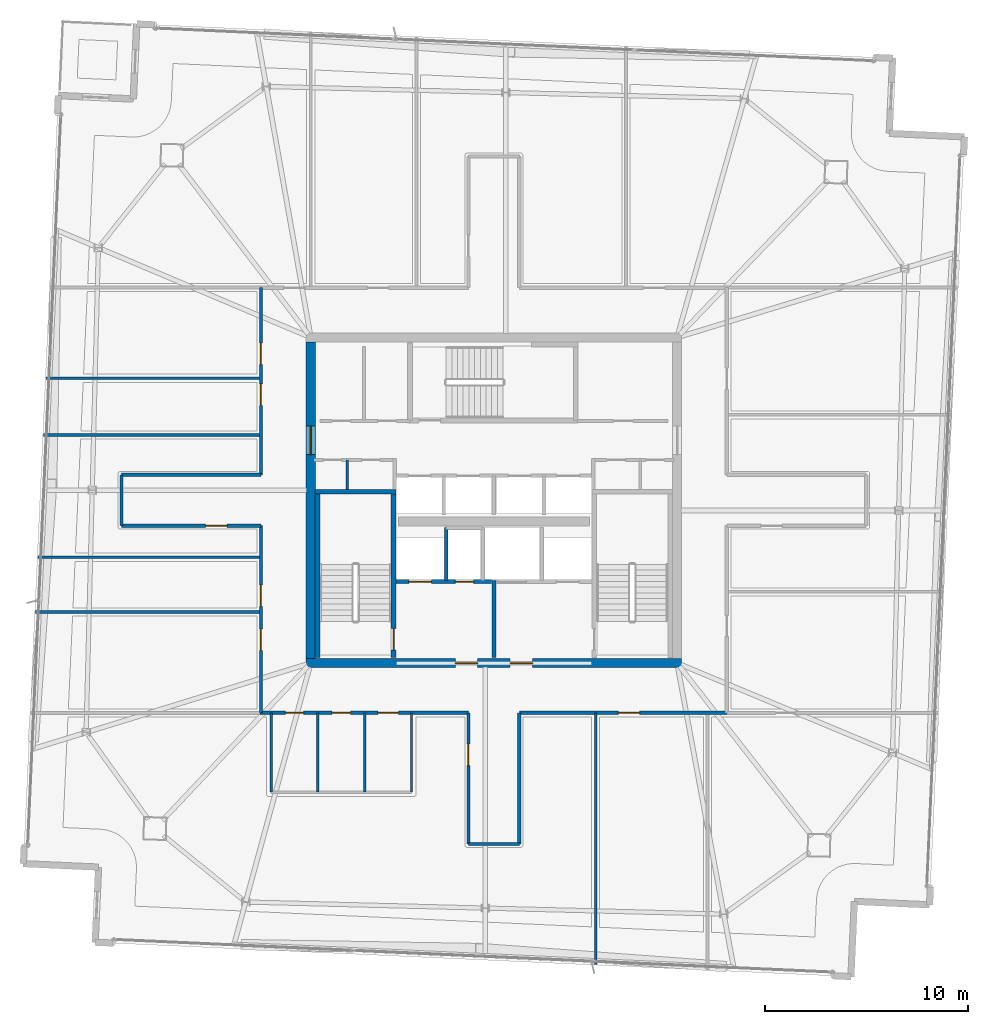
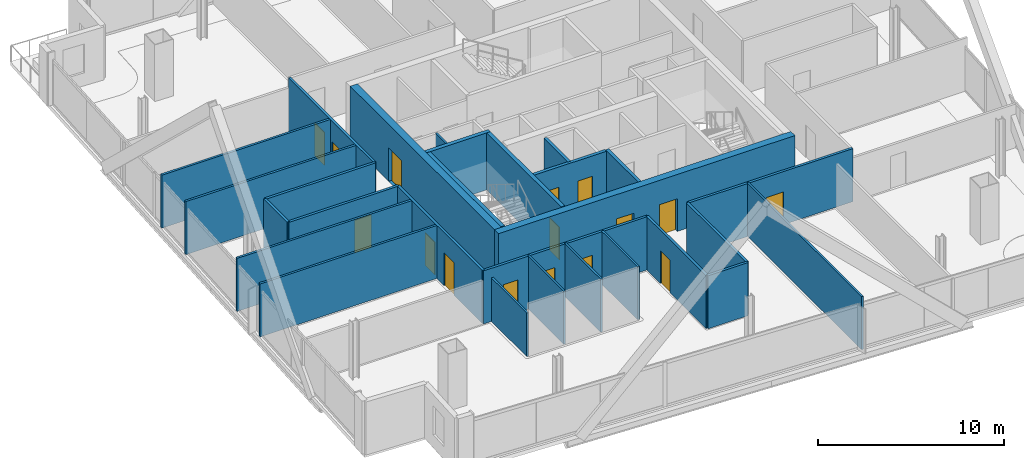
# One storey, part 20 of 26: 28 walls, 16 doors, 16 openings.
"""IFC4 building model written with IfcOpenShell, lengths in metres."""

from ifc_helpers import new_model, si_unit, direction, frame, frame_2d, origin, place, context, subcontext, project, spatial, rectangle, extrude, material, layer, layer_set, type_object, element, fill, save


model = new_model("IFC4")

# Units and contexts
model_context = context("Model", 3, precision=1e-05, world=origin(), true_north=direction((0.0, 1.0)))
body_context = subcontext(model_context, "Body", "Model", "MODEL_VIEW")
ifc_project = project(units=[si_unit("LENGTHUNIT", "METRE"), si_unit("AREAUNIT", "SQUARE_METRE"), si_unit("VOLUMEUNIT", "CUBIC_METRE"), si_unit("PLANEANGLEUNIT", "RADIAN"), si_unit("MASSUNIT", "GRAM", prefix="KILO")], contexts=[model_context])

# Site, building, storey
site_placement = place(None, origin())
site = spatial("IfcSite", under=ifc_project, at=site_placement, CompositionType="ELEMENT")
building_placement = place(site_placement, origin())
building = spatial("IfcBuilding", under=site, at=building_placement, Name="Haldenkirk Collegiate Tower", CompositionType="ELEMENT")
storey_placement = place(building_placement, frame((0.0, 0.0, 321.449951171875)))
storey = spatial("IfcBuildingStorey", under=building, at=storey_placement, Name="L81", CompositionType="ELEMENT", Elevation=321.449951171875)

# Wall, openings, doors
ifc_material_1 = material(Name="Concrete f'c 55 MPa", Category="concrete")
ifc_layer_1 = layer(ifc_material_1, 0.449951171875)
ifc_layer_set_1 = layer_set([ifc_layer_1], Name="Concrete f'c 55 MPa")
wall_type_1 = type_object("IfcWallType", Name="WL-CORE-450", PredefinedType="SHEAR", material=ifc_layer_set_1)
wall_1_placement = place(storey_placement, frame((26.77490234375, 18.0, 0.0), z_axis=(0.0, 0.0, 1.0), x_axis=(1.0, 0.0, 0.0)))
wall_1 = element("IfcWall", 1, at=wall_1_placement, inside=storey, type_object=wall_type_1, Name="L81 central core shear wall S", PredefinedType="SHEAR", context=body_context, shape_type="SweptSolid", body=[
    extrude(rectangle(XDim=18.4501953125, YDim=0.449951171875, at=frame_2d((9.22509765625, 0.0))), origin(), (0.0, 0.0, 1.0), 3.75),
])
opening_1_placement = place(wall_1_placement, frame((7.324951171875, 0.0, 0.0)))
opening_1 = element("IfcOpeningElement", 2, at=opening_1_placement, cuts=wall_1, Name="Opening D-02", PredefinedType="OPENING", context=body_context, shape_type="SweptSolid", body=[
    extrude(rectangle(XDim=1.10009765625, YDim=2.14990234375, at=frame_2d((0.550048828125, 1.074951171875))), frame((0.0, 0.23486328125, 0.0), z_axis=(0.0, -1.0, 0.0), x_axis=(1.0, 0.0, 0.0)), (0.0, 0.0, 1.0), 0.469970703125),
])
opening_2_placement = place(wall_1_placement, frame((10.02490234375, 0.0, 0.0)))
opening_2 = element("IfcOpeningElement", 3, at=opening_2_placement, cuts=wall_1, Name="Opening D-02", PredefinedType="OPENING", context=body_context, shape_type="SweptSolid", body=[
    extrude(rectangle(XDim=1.10009765625, YDim=2.14990234375, at=frame_2d((0.550048828125, 1.074951171875))), frame((0.0, 0.23486328125, 0.0), z_axis=(0.0, -1.0, 0.0), x_axis=(1.0, 0.0, 0.0)), (0.0, 0.0, 1.0), 0.469970703125),
])
ifc_material_2 = material(Name="Galvanized fire-rated hollow steel door", Category="steel")
ifc_layer_2 = layer(ifc_material_2, 0.06005859375)
ifc_layer_set_2 = layer_set([ifc_layer_2], Name="Galvanized fire-rated hollow steel door")
door_type_1 = type_object("IfcDoorType", Name="DR-STAIR-FD90-1100", OperationType="NOTDEFINED", PredefinedType="DOOR", material=ifc_layer_set_2)
door_1_placement = place(opening_1_placement, origin())
door_1 = element("IfcDoor", 4, at=door_1_placement, inside=storey, type_object=door_type_1, Name="L81 Firefighting Lobby 1 door", OperationType="SINGLE_SWING_LEFT", OverallHeight=2.14990234375, OverallWidth=1.10009765625, PredefinedType="DOOR", context=body_context, shape_type="SweptSolid", body=[
    extrude(rectangle(XDim=1.10009765625, YDim=2.14990234375, at=frame_2d((0.550048828125, 1.074951171875))), frame((0.0, 0.02490234375, 0.0), z_axis=(0.0, -1.0, 0.0), x_axis=(1.0, 0.0, 0.0)), (0.0, 0.0, 1.0), 0.050048828125),
])
fill(opening_1, door_1)
door_2_placement = place(opening_2_placement, origin())
door_2 = element("IfcDoor", 5, at=door_2_placement, inside=storey, type_object=door_type_1, Name="L81 Firefighting Lobby 2 door", OperationType="SINGLE_SWING_RIGHT", OverallHeight=2.14990234375, OverallWidth=1.10009765625, PredefinedType="DOOR", context=body_context, shape_type="SweptSolid", body=[
    extrude(rectangle(XDim=1.10009765625, YDim=2.14990234375, at=frame_2d((0.550048828125, 1.074951171875))), frame((0.0, 0.02490234375, 0.0), z_axis=(0.0, -1.0, 0.0), x_axis=(1.0, 0.0, 0.0)), (0.0, 0.0, 1.0), 0.050048828125),
])
fill(opening_2, door_2)

# Wall, opening, door
wall_2_placement = place(storey_placement, frame((27.0, 18.22509765625, 0.0), z_axis=(0.0, 0.0, 1.0), x_axis=(0.0, 1.0, 0.0)))
wall_2 = element("IfcWall", 6, at=wall_2_placement, inside=storey, type_object=wall_type_1, Name="L81 central core shear wall W", PredefinedType="SHEAR", context=body_context, shape_type="SweptSolid", body=[
    extrude(rectangle(XDim=15.5498046875, YDim=0.449951171875, at=frame_2d((7.77490234375, 0.0))), origin(), (0.0, 0.0, 1.0), 3.75),
])
opening_3_placement = place(wall_2_placement, frame((10.014892578125, 0.0, 0.0)))
opening_3 = element("IfcOpeningElement", 7, at=opening_3_placement, cuts=wall_2, Name="Opening D-03", PredefinedType="OPENING", context=body_context, shape_type="SweptSolid", body=[
    extrude(rectangle(XDim=1.39990234375, YDim=2.199951171875, at=frame_2d((0.699951171875, 1.10009765625))), frame((0.0, 0.23486328125, 0.0), z_axis=(0.0, -1.0, 0.0), x_axis=(1.0, 0.0, 0.0)), (0.0, 0.0, 1.0), 0.469970703125),
])
ifc_layer_3 = layer(ifc_material_2, 0.06005859375)
ifc_layer_set_3 = layer_set([ifc_layer_3], Name="Galvanized fire-rated hollow steel door")
door_type_2 = type_object("IfcDoorType", Name="DR-LOBBY-FD90-1400", OperationType="NOTDEFINED", PredefinedType="DOOR", material=ifc_layer_set_3)
door_3_placement = place(opening_3_placement, origin())
door_3 = element("IfcDoor", 8, at=door_3_placement, inside=storey, type_object=door_type_2, Name="L81 west lift lobby portal", OperationType="DOUBLE_DOOR_SINGLE_SWING", OverallHeight=2.199951171875, OverallWidth=1.39990234375, PredefinedType="DOOR", context=body_context, shape_type="SweptSolid", body=[
    extrude(rectangle(XDim=1.39990234375, YDim=2.199951171875, at=frame_2d((0.699951171875, 1.10009765625))), frame((0.0, 0.02490234375, 0.0), z_axis=(0.0, -1.0, 0.0), x_axis=(1.0, 0.0, 0.0)), (0.0, 0.0, 1.0), 0.050048828125),
])
fill(opening_3, door_3)

# Wall, openings, doors
ifc_material_3 = material(Name="Acoustic fire-rated gypsum partition", Category="concrete")
ifc_layer_4 = layer(ifc_material_3, 0.159912109375)
ifc_layer_set_4 = layer_set([ifc_layer_4], Name="Acoustic fire-rated gypsum partition")
wall_type_2 = type_object("IfcWallType", Name="WL-INT-CORR-160", PredefinedType="PARTITIONING", material=ifc_layer_set_4)
wall_3_placement = place(storey_placement, frame((24.5, 15.550048828125, 0.0), z_axis=(0.0, 0.0, 1.0), x_axis=(1.0, 0.0, 0.0)))
wall_3 = element("IfcWall", 9, at=wall_3_placement, inside=storey, type_object=wall_type_2, Name="L81 interior partition IW-L81-CS1", PredefinedType="PARTITIONING", context=body_context, shape_type="SweptSolid", body=[
    extrude(rectangle(XDim=10.25, YDim=0.159912109375, at=frame_2d((5.125, 0.0))), origin(), (0.0, 0.0, 1.0), 3.489990234375),
])
opening_4_placement = place(wall_3_placement, frame((1.25, 0.0, 0.0)))
opening_4 = element("IfcOpeningElement", 10, at=opening_4_placement, cuts=wall_3, Name="Opening D-13", PredefinedType="OPENING", context=body_context, shape_type="SweptSolid", body=[
    extrude(rectangle(XDim=0.89990234375, YDim=2.14990234375, at=frame_2d((0.449951171875, 1.074951171875))), frame((0.0, 0.08984375, 0.0), z_axis=(0.0, -1.0, 0.0), x_axis=(1.0, 0.0, 0.0)), (0.0, 0.0, 1.0), 0.179931640625),
])
opening_5_placement = place(wall_3_placement, frame((3.550048828125, 0.0, 0.0)))
opening_5 = element("IfcOpeningElement", 11, at=opening_5_placement, cuts=wall_3, Name="Opening D-13", PredefinedType="OPENING", context=body_context, shape_type="SweptSolid", body=[
    extrude(rectangle(XDim=0.89990234375, YDim=2.14990234375, at=frame_2d((0.449951171875, 1.074951171875))), frame((0.0, 0.08984375, 0.0), z_axis=(0.0, -1.0, 0.0), x_axis=(1.0, 0.0, 0.0)), (0.0, 0.0, 1.0), 0.179931640625),
])
opening_6_placement = place(wall_3_placement, frame((5.800048828125, 0.0, 0.0)))
opening_6 = element("IfcOpeningElement", 12, at=opening_6_placement, cuts=wall_3, Name="Opening D-14", PredefinedType="OPENING", context=body_context, shape_type="SweptSolid", body=[
    extrude(rectangle(XDim=1.0, YDim=2.14990234375, at=frame_2d((0.5, 1.074951171875))), frame((0.0, 0.08984375, 0.0), z_axis=(0.0, -1.0, 0.0), x_axis=(1.0, 0.0, 0.0)), (0.0, 0.0, 1.0), 0.179931640625),
])
ifc_material_4 = material(Name="Solid-core architectural oak fire door", Category="wood")
ifc_layer_5 = layer(ifc_material_4, 0.06005859375)
ifc_layer_set_5 = layer_set([ifc_layer_5], Name="Solid-core architectural oak fire door")
door_type_3 = type_object("IfcDoorType", Name="DR-INT-ACC-1000", OperationType="NOTDEFINED", PredefinedType="DOOR", material=ifc_layer_set_5)
door_4_placement = place(opening_6_placement, origin())
door_4 = element("IfcDoor", 13, at=door_4_placement, inside=storey, type_object=door_type_3, Name="L81 Accessible WC door", OperationType="SINGLE_SWING_RIGHT", OverallHeight=2.14990234375, OverallWidth=1.0, PredefinedType="DOOR", context=body_context, shape_type="SweptSolid", body=[
    extrude(rectangle(XDim=1.0, YDim=2.14990234375, at=frame_2d((0.5, 1.074951171875))), frame((0.0, 0.02490234375, 0.0), z_axis=(0.0, -1.0, 0.0), x_axis=(1.0, 0.0, 0.0)), (0.0, 0.0, 1.0), 0.050048828125),
])
fill(opening_6, door_4)
ifc_layer_6 = layer(ifc_material_4, 0.06005859375)
ifc_layer_set_6 = layer_set([ifc_layer_6], Name="Solid-core architectural oak fire door")
door_type_4 = type_object("IfcDoorType", Name="DR-INT-STD-900", OperationType="NOTDEFINED", PredefinedType="DOOR", material=ifc_layer_set_6)
door_5_placement = place(opening_4_placement, origin())
door_5 = element("IfcDoor", 14, at=door_5_placement, inside=storey, type_object=door_type_4, Name="L81 Male WC door", OperationType="SINGLE_SWING_RIGHT", OverallHeight=2.14990234375, OverallWidth=0.89990234375, PredefinedType="DOOR", context=body_context, shape_type="SweptSolid", body=[
    extrude(rectangle(XDim=0.89990234375, YDim=2.14990234375, at=frame_2d((0.449951171875, 1.074951171875))), frame((0.0, 0.02490234375, 0.0), z_axis=(0.0, -1.0, 0.0), x_axis=(1.0, 0.0, 0.0)), (0.0, 0.0, 1.0), 0.050048828125),
])
fill(opening_4, door_5)
door_6_placement = place(opening_5_placement, origin())
door_6 = element("IfcDoor", 15, at=door_6_placement, inside=storey, type_object=door_type_4, Name="L81 Female WC door", OperationType="SINGLE_SWING_LEFT", OverallHeight=2.14990234375, OverallWidth=0.89990234375, PredefinedType="DOOR", context=body_context, shape_type="SweptSolid", body=[
    extrude(rectangle(XDim=0.89990234375, YDim=2.14990234375, at=frame_2d((0.449951171875, 1.074951171875))), frame((0.0, 0.02490234375, 0.0), z_axis=(0.0, -1.0, 0.0), x_axis=(1.0, 0.0, 0.0)), (0.0, 0.0, 1.0), 0.050048828125),
])
fill(opening_5, door_6)

# Wall, opening, door
wall_4_placement = place(storey_placement, frame((37.25, 15.550048828125, 0.0), z_axis=(0.0, 0.0, 1.0), x_axis=(1.0, 0.0, 0.0)))
wall_4 = element("IfcWall", 16, at=wall_4_placement, inside=storey, type_object=wall_type_2, Name="L81 interior partition IW-L81-CS2", PredefinedType="PARTITIONING", context=body_context, shape_type="SweptSolid", body=[
    extrude(rectangle(XDim=10.25, YDim=0.159912109375, at=frame_2d((5.125, 0.0))), origin(), (0.0, 0.0, 1.0), 3.489990234375),
])
opening_7_placement = place(wall_4_placement, frame((4.864990234375, 0.0, 0.0)))
opening_7 = element("IfcOpeningElement", 17, at=opening_7_placement, cuts=wall_4, Name="Opening D-09", PredefinedType="OPENING", context=body_context, shape_type="SweptSolid", body=[
    extrude(rectangle(XDim=1.050048828125, YDim=2.14990234375, at=frame_2d((0.52490234375, 1.074951171875))), frame((0.0, 0.08984375, 0.0), z_axis=(0.0, -1.0, 0.0), x_axis=(1.0, 0.0, 0.0)), (0.0, 0.0, 1.0), 0.179931640625),
])
ifc_layer_7 = layer(ifc_material_4, 0.06005859375)
ifc_layer_set_7 = layer_set([ifc_layer_7], Name="Solid-core architectural oak fire door")
door_type_5 = type_object("IfcDoorType", Name="DR-INT-FD60-1050", OperationType="NOTDEFINED", PredefinedType="DOOR", material=ifc_layer_set_7)
door_7_placement = place(opening_7_placement, origin())
door_7 = element("IfcDoor", 18, at=door_7_placement, inside=storey, type_object=door_type_5, Name="L81 Rare Folio Vault 2 door", OperationType="SINGLE_SWING_RIGHT", OverallHeight=2.14990234375, OverallWidth=1.050048828125, PredefinedType="DOOR", context=body_context, shape_type="SweptSolid", body=[
    extrude(rectangle(XDim=1.050048828125, YDim=2.14990234375, at=frame_2d((0.52490234375, 1.074951171875))), frame((0.0, 0.02490234375, 0.0), z_axis=(0.0, -1.0, 0.0), x_axis=(1.0, 0.0, 0.0)), (0.0, 0.0, 1.0), 0.050048828125),
])
fill(opening_7, door_7)

# Wall, openings, doors
wall_5_placement = place(storey_placement, frame((24.550048828125, 15.550048828125, 0.0), z_axis=(0.0, 0.0, 1.0), x_axis=(0.0, 1.0, 0.0)))
wall_5 = element("IfcWall", 19, at=wall_5_placement, inside=storey, type_object=wall_type_2, Name="L81 interior partition IW-L81-CW1", PredefinedType="PARTITIONING", context=body_context, shape_type="SweptSolid", body=[
    extrude(rectangle(XDim=9.199951171875, YDim=0.159912109375, at=frame_2d((4.60009765625, 0.0))), origin(), (0.0, 0.0, 1.0), 3.489990234375),
])
opening_8_placement = place(wall_5_placement, frame((3.06689453125, 0.0, 0.0)))
opening_8 = element("IfcOpeningElement", 20, at=opening_8_placement, cuts=wall_5, Name="Opening D-09", PredefinedType="OPENING", context=body_context, shape_type="SweptSolid", body=[
    extrude(rectangle(XDim=1.050048828125, YDim=2.14990234375, at=frame_2d((0.52490234375, 1.074951171875))), frame((0.0, 0.08984375, 0.0), z_axis=(0.0, -1.0, 0.0), x_axis=(1.0, 0.0, 0.0)), (0.0, 0.0, 1.0), 0.179931640625),
])
opening_9_placement = place(wall_5_placement, frame((5.22998046875, 0.0, 0.0)))
opening_9 = element("IfcOpeningElement", 21, at=opening_9_placement, cuts=wall_5, Name="Opening D-09", PredefinedType="OPENING", context=body_context, shape_type="SweptSolid", body=[
    extrude(rectangle(XDim=1.050048828125, YDim=2.14990234375, at=frame_2d((0.52490234375, 1.074951171875))), frame((0.0, 0.08984375, 0.0), z_axis=(0.0, -1.0, 0.0), x_axis=(1.0, 0.0, 0.0)), (0.0, 0.0, 1.0), 0.179931640625),
])
door_8_placement = place(opening_8_placement, origin())
door_8 = element("IfcDoor", 22, at=door_8_placement, inside=storey, type_object=door_type_5, Name="L81 Rare Folio Vault 8 door", OperationType="SINGLE_SWING_RIGHT", OverallHeight=2.14990234375, OverallWidth=1.050048828125, PredefinedType="DOOR", context=body_context, shape_type="SweptSolid", body=[
    extrude(rectangle(XDim=1.050048828125, YDim=2.14990234375, at=frame_2d((0.52490234375, 1.074951171875))), frame((0.0, 0.02490234375, 0.0), z_axis=(0.0, -1.0, 0.0), x_axis=(1.0, 0.0, 0.0)), (0.0, 0.0, 1.0), 0.050048828125),
])
fill(opening_8, door_8)
door_9_placement = place(opening_9_placement, origin())
door_9 = element("IfcDoor", 23, at=door_9_placement, inside=storey, type_object=door_type_5, Name="L81 Treaty Archive Store 9 door", OperationType="SINGLE_SWING_LEFT", OverallHeight=2.14990234375, OverallWidth=1.050048828125, PredefinedType="DOOR", context=body_context, shape_type="SweptSolid", body=[
    extrude(rectangle(XDim=1.050048828125, YDim=2.14990234375, at=frame_2d((0.52490234375, 1.074951171875))), frame((0.0, 0.02490234375, 0.0), z_axis=(0.0, -1.0, 0.0), x_axis=(1.0, 0.0, 0.0)), (0.0, 0.0, 1.0), 0.050048828125),
])
fill(opening_9, door_9)

wall_6_placement = place(storey_placement, frame((24.550048828125, 27.25, 0.0), z_axis=(0.0, 0.0, 1.0), x_axis=(0.0, 1.0, 0.0)))
wall_6 = element("IfcWall", 24, at=wall_6_placement, inside=storey, type_object=wall_type_2, Name="L81 interior partition IW-L81-CW2", PredefinedType="PARTITIONING", context=body_context, shape_type="SweptSolid", body=[
    extrude(rectangle(XDim=9.199951171875, YDim=0.159912109375, at=frame_2d((4.60009765625, 0.0))), origin(), (0.0, 0.0, 1.0), 3.489990234375),
])
opening_10_placement = place(wall_6_placement, frame((3.419921875, 0.0, 0.0)))
opening_10 = element("IfcOpeningElement", 25, at=opening_10_placement, cuts=wall_6, Name="Opening D-09", PredefinedType="OPENING", context=body_context, shape_type="SweptSolid", body=[
    extrude(rectangle(XDim=1.050048828125, YDim=2.14990234375, at=frame_2d((0.52490234375, 1.074951171875))), frame((0.0, 0.08984375, 0.0), z_axis=(0.0, -1.0, 0.0), x_axis=(1.0, 0.0, 0.0)), (0.0, 0.0, 1.0), 0.179931640625),
])
opening_11_placement = place(wall_6_placement, frame((5.423095703125, 0.0, 0.0)))
opening_11 = element("IfcOpeningElement", 26, at=opening_11_placement, cuts=wall_6, Name="Opening D-09", PredefinedType="OPENING", context=body_context, shape_type="SweptSolid", body=[
    extrude(rectangle(XDim=1.050048828125, YDim=2.14990234375, at=frame_2d((0.52490234375, 1.074951171875))), frame((0.0, 0.08984375, 0.0), z_axis=(0.0, -1.0, 0.0), x_axis=(1.0, 0.0, 0.0)), (0.0, 0.0, 1.0), 0.179931640625),
])
door_10_placement = place(opening_10_placement, origin())
door_10 = element("IfcDoor", 27, at=door_10_placement, inside=storey, type_object=door_type_5, Name="L81 Reading Commons Lounge 11 door", OperationType="SINGLE_SWING_LEFT", OverallHeight=2.14990234375, OverallWidth=1.050048828125, PredefinedType="DOOR", context=body_context, shape_type="SweptSolid", body=[
    extrude(rectangle(XDim=1.050048828125, YDim=2.14990234375, at=frame_2d((0.52490234375, 1.074951171875))), frame((0.0, 0.02490234375, 0.0), z_axis=(0.0, -1.0, 0.0), x_axis=(1.0, 0.0, 0.0)), (0.0, 0.0, 1.0), 0.050048828125),
])
fill(opening_10, door_10)
door_11_placement = place(opening_11_placement, origin())
door_11 = element("IfcDoor", 28, at=door_11_placement, inside=storey, type_object=door_type_5, Name="L81 Periodical Reading Lounge 12 door", OperationType="SINGLE_SWING_RIGHT", OverallHeight=2.14990234375, OverallWidth=1.050048828125, PredefinedType="DOOR", context=body_context, shape_type="SweptSolid", body=[
    extrude(rectangle(XDim=1.050048828125, YDim=2.14990234375, at=frame_2d((0.52490234375, 1.074951171875))), frame((0.0, 0.02490234375, 0.0), z_axis=(0.0, -1.0, 0.0), x_axis=(1.0, 0.0, 0.0)), (0.0, 0.0, 1.0), 0.050048828125),
])
fill(opening_11, door_11)

# Wall, opening, door
wall_7_placement = place(storey_placement, frame((34.75, 9.10009765625, 0.0), z_axis=(0.0, 0.0, 1.0), x_axis=(0.0, 1.0, 0.0)))
wall_7 = element("IfcWall", 29, at=wall_7_placement, inside=storey, type_object=wall_type_2, Name="L81 interior partition IW-L81-SPW", PredefinedType="PARTITIONING", context=body_context, shape_type="SweptSolid", body=[
    extrude(rectangle(XDim=6.449951171875, YDim=0.159912109375, at=frame_2d((3.22509765625, 0.0))), origin(), (0.0, 0.0, 1.0), 3.489990234375),
])
opening_12_placement = place(wall_7_placement, frame((3.861083984375, 0.0, 0.0)))
opening_12 = element("IfcOpeningElement", 30, at=opening_12_placement, cuts=wall_7, Name="Opening D-09", PredefinedType="OPENING", context=body_context, shape_type="SweptSolid", body=[
    extrude(rectangle(XDim=1.050048828125, YDim=2.14990234375, at=frame_2d((0.52490234375, 1.074951171875))), frame((0.0, 0.08984375, 0.0), z_axis=(0.0, -1.0, 0.0), x_axis=(1.0, 0.0, 0.0)), (0.0, 0.0, 1.0), 0.179931640625),
])
door_12_placement = place(opening_12_placement, origin())
door_12 = element("IfcDoor", 31, at=door_12_placement, inside=storey, type_object=door_type_5, Name="L81 Special Collections Archive 1 door", OperationType="SINGLE_SWING_LEFT", OverallHeight=2.14990234375, OverallWidth=1.050048828125, PredefinedType="DOOR", context=body_context, shape_type="SweptSolid", body=[
    extrude(rectangle(XDim=1.050048828125, YDim=2.14990234375, at=frame_2d((0.52490234375, 1.074951171875))), frame((0.0, 0.02490234375, 0.0), z_axis=(0.0, -1.0, 0.0), x_axis=(1.0, 0.0, 0.0)), (0.0, 0.0, 1.0), 0.050048828125),
])
fill(opening_12, door_12)

# Walls
wall_8_placement = place(storey_placement, frame((37.25, 9.10009765625, 0.0), z_axis=(0.0, 0.0, 1.0), x_axis=(0.0, 1.0, 0.0)))
element("IfcWall", 32, at=wall_8_placement, inside=storey, type_object=wall_type_2, Name="L81 interior partition IW-L81-SPE", PredefinedType="PARTITIONING", context=body_context, shape_type="SweptSolid", body=[
    extrude(rectangle(XDim=6.449951171875, YDim=0.159912109375, at=frame_2d((3.22509765625, 0.0))), origin(), (0.0, 0.0, 1.0), 3.489990234375),
])
wall_9_placement = place(storey_placement, frame((34.75, 9.10009765625, 0.0), z_axis=(0.0, 0.0, 1.0), x_axis=(1.0, 0.0, 0.0)))
element("IfcWall", 33, at=wall_9_placement, inside=storey, type_object=wall_type_2, Name="L81 interior partition IW-L81-SPS", PredefinedType="PARTITIONING", context=body_context, shape_type="SweptSolid", body=[
    extrude(rectangle(XDim=2.5, YDim=0.159912109375, at=frame_2d((1.25, 0.0))), origin(), (0.0, 0.0, 1.0), 3.489990234375),
])

# Wall, opening, door
wall_10_placement = place(storey_placement, frame((17.699951171875, 24.75, 0.0), z_axis=(0.0, 0.0, 1.0), x_axis=(1.0, 0.0, 0.0)))
wall_10 = element("IfcWall", 34, at=wall_10_placement, inside=storey, type_object=wall_type_2, Name="L81 interior partition IW-L81-WPS", PredefinedType="PARTITIONING", context=body_context, shape_type="SweptSolid", body=[
    extrude(rectangle(XDim=6.85009765625, YDim=0.159912109375, at=frame_2d((3.425048828125, 0.0))), origin(), (0.0, 0.0, 1.0), 3.489990234375),
])
opening_13_placement = place(wall_10_placement, frame((4.133056640625, 0.0, 0.0)))
opening_13 = element("IfcOpeningElement", 35, at=opening_13_placement, cuts=wall_10, Name="Opening D-09", PredefinedType="OPENING", context=body_context, shape_type="SweptSolid", body=[
    extrude(rectangle(XDim=1.050048828125, YDim=2.14990234375, at=frame_2d((0.52490234375, 1.074951171875))), frame((0.0, 0.08984375, 0.0), z_axis=(0.0, -1.0, 0.0), x_axis=(1.0, 0.0, 0.0)), (0.0, 0.0, 1.0), 0.179931640625),
])
door_13_placement = place(opening_13_placement, origin())
door_13 = element("IfcDoor", 36, at=door_13_placement, inside=storey, type_object=door_type_5, Name="L81 Student Reading Lounge 10 door", OperationType="SINGLE_SWING_RIGHT", OverallHeight=2.14990234375, OverallWidth=1.050048828125, PredefinedType="DOOR", context=body_context, shape_type="SweptSolid", body=[
    extrude(rectangle(XDim=1.050048828125, YDim=2.14990234375, at=frame_2d((0.52490234375, 1.074951171875))), frame((0.0, 0.02490234375, 0.0), z_axis=(0.0, -1.0, 0.0), x_axis=(1.0, 0.0, 0.0)), (0.0, 0.0, 1.0), 0.050048828125),
])
fill(opening_13, door_13)

# Walls
wall_11_placement = place(storey_placement, frame((17.699951171875, 27.25, 0.0), z_axis=(0.0, 0.0, 1.0), x_axis=(1.0, 0.0, 0.0)))
element("IfcWall", 37, at=wall_11_placement, inside=storey, type_object=wall_type_2, Name="L81 interior partition IW-L81-WPN", PredefinedType="PARTITIONING", context=body_context, shape_type="SweptSolid", body=[
    extrude(rectangle(XDim=6.85009765625, YDim=0.159912109375, at=frame_2d((3.425048828125, 0.0))), origin(), (0.0, 0.0, 1.0), 3.489990234375),
])
wall_12_placement = place(storey_placement, frame((17.699951171875, 24.75, 0.0), z_axis=(0.0, 0.0, 1.0), x_axis=(0.0, 1.0, 0.0)))
element("IfcWall", 38, at=wall_12_placement, inside=storey, type_object=wall_type_2, Name="L81 interior partition IW-L81-WPW", PredefinedType="PARTITIONING", context=body_context, shape_type="SweptSolid", body=[
    extrude(rectangle(XDim=2.5, YDim=0.159912109375, at=frame_2d((1.25, 0.0))), origin(), (0.0, 0.0, 1.0), 3.489990234375),
])
ifc_layer_8 = layer(ifc_material_3, 0.139892578125)
ifc_layer_set_8 = layer_set([ifc_layer_8], Name="Acoustic fire-rated gypsum partition")
wall_type_3 = type_object("IfcWallType", Name="WL-INT-DIV-140", PredefinedType="PARTITIONING", material=ifc_layer_set_8)
wall_13_placement = place(storey_placement, frame((13.46728515625, 20.5, 0.0), z_axis=(0.0, 0.0, 1.0), x_axis=(1.0, 0.0, 0.0)))
element("IfcWall", 39, at=wall_13_placement, inside=storey, type_object=wall_type_3, Name="L81 interior partition IW-L81-RW1", PredefinedType="PARTITIONING", context=body_context, shape_type="SweptSolid", body=[
    extrude(rectangle(XDim=11.082763671875, YDim=0.139892578125, at=frame_2d((5.54150390625, 0.0))), origin(), (0.0, 0.0, 1.0), 3.489990234375),
])
wall_14_placement = place(storey_placement, frame((13.58984375, 23.199951171875, 0.0), z_axis=(0.0, 0.0, 1.0), x_axis=(1.0, 0.0, 0.0)))
element("IfcWall", 40, at=wall_14_placement, inside=storey, type_object=wall_type_3, Name="L81 interior partition IW-L81-RW2", PredefinedType="PARTITIONING", context=body_context, shape_type="SweptSolid", body=[
    extrude(rectangle(XDim=10.960205078125, YDim=0.139892578125, at=frame_2d((5.47998046875, 0.0))), origin(), (0.0, 0.0, 1.0), 3.489990234375),
])
wall_15_placement = place(storey_placement, frame((13.8623046875, 29.199951171875, 0.0), z_axis=(0.0, 0.0, 1.0), x_axis=(1.0, 0.0, 0.0)))
element("IfcWall", 41, at=wall_15_placement, inside=storey, type_object=wall_type_3, Name="L81 interior partition IW-L81-RW3", PredefinedType="PARTITIONING", context=body_context, shape_type="SweptSolid", body=[
    extrude(rectangle(XDim=10.687744140625, YDim=0.139892578125, at=frame_2d((5.34375, 0.0))), origin(), (0.0, 0.0, 1.0), 3.489990234375),
])
wall_16_placement = place(storey_placement, frame((13.989501953125, 32.0, 0.0), z_axis=(0.0, 0.0, 1.0), x_axis=(1.0, 0.0, 0.0)))
element("IfcWall", 42, at=wall_16_placement, inside=storey, type_object=wall_type_3, Name="L81 interior partition IW-L81-RW4", PredefinedType="PARTITIONING", context=body_context, shape_type="SweptSolid", body=[
    extrude(rectangle(XDim=10.560546875, YDim=0.139892578125, at=frame_2d((5.2802734375, 0.0))), origin(), (0.0, 0.0, 1.0), 3.489990234375),
])
ifc_material_5 = material(Name="Fire-rated gypsum shaftboard assembly", Category="concrete")
ifc_layer_9 = layer(ifc_material_5, 0.179931640625)
ifc_layer_set_9 = layer_set([ifc_layer_9], Name="Fire-rated gypsum shaftboard assembly")
wall_type_4 = type_object("IfcWallType", Name="WL-INT-SHAFT-180", PredefinedType="PARTITIONING", material=ifc_layer_set_9)
wall_17_placement = place(storey_placement, frame((33.64990234375, 22.050048828125, 0.0), z_axis=(0.0, 0.0, 1.0), x_axis=(0.0, 1.0, 0.0)))
element("IfcWall", 43, at=wall_17_placement, inside=storey, type_object=wall_type_4, Name="L81 interior partition IW-L81-FL1E", PredefinedType="PARTITIONING", context=body_context, shape_type="SweptSolid", body=[
    extrude(rectangle(XDim=2.599853515625, YDim=0.179931640625, at=frame_2d((1.2998046875, 0.0))), origin(), (0.0, 0.0, 1.0), 3.489990234375),
])
ifc_layer_10 = layer(ifc_material_5, 0.199951171875)
ifc_layer_set_10 = layer_set([ifc_layer_10], Name="Fire-rated gypsum shaftboard assembly")
wall_type_5 = type_object("IfcWallType", Name="WL-INT-SHAFT-200", PredefinedType="PARTITIONING", material=ifc_layer_set_10)
wall_18_placement = place(storey_placement, frame((36.0, 18.280029296875, 0.0), z_axis=(0.0, 0.0, 1.0), x_axis=(0.0, 1.0, 0.0)))
element("IfcWall", 44, at=wall_18_placement, inside=storey, type_object=wall_type_5, Name="L81 interior partition IW-L81-FFLM", PredefinedType="PARTITIONING", context=body_context, shape_type="SweptSolid", body=[
    extrude(rectangle(XDim=3.77001953125, YDim=0.199951171875, at=frame_2d((1.885009765625, 0.0))), origin(), (0.0, 0.0, 1.0), 3.489990234375),
])

# Wall, openings, doors
wall_19_placement = place(storey_placement, frame((31.18994140625, 22.0, 0.0), z_axis=(0.0, 0.0, 1.0), x_axis=(1.0, 0.0, 0.0)))
wall_19 = element("IfcWall", 45, at=wall_19_placement, inside=storey, type_object=wall_type_5, Name="L81 interior partition IW-L81-FFL1N", PredefinedType="PARTITIONING", context=body_context, shape_type="SweptSolid", body=[
    extrude(rectangle(XDim=4.68994140625, YDim=0.199951171875, at=frame_2d((2.344970703125, 0.0))), origin(), (0.0, 0.0, 1.0), 3.489990234375),
])
opening_14_placement = place(wall_19_placement, frame((2.909912109375, 0.0, 0.0)))
opening_14 = element("IfcOpeningElement", 46, at=opening_14_placement, cuts=wall_19, Name="Opening D-06", PredefinedType="OPENING", context=body_context, shape_type="SweptSolid", body=[
    extrude(rectangle(XDim=0.89990234375, YDim=2.14990234375, at=frame_2d((0.449951171875, 1.074951171875))), frame((0.0, 0.10986328125, 0.0), z_axis=(0.0, -1.0, 0.0), x_axis=(1.0, 0.0, 0.0)), (0.0, 0.0, 1.0), 0.219970703125),
])
opening_15_placement = place(wall_19_placement, frame((0.635009765625, 0.0, 0.0)))
opening_15 = element("IfcOpeningElement", 47, at=opening_15_placement, cuts=wall_19, Name="Opening LD-12", PredefinedType="OPENING", context=body_context, shape_type="SweptSolid", body=[
    extrude(rectangle(XDim=1.10009765625, YDim=2.14990234375, at=frame_2d((0.550048828125, 1.074951171875))), frame((0.0, 0.10986328125, 0.0), z_axis=(0.0, -1.0, 0.0), x_axis=(1.0, 0.0, 0.0)), (0.0, 0.0, 1.0), 0.219970703125),
])
ifc_layer_11 = layer(ifc_material_2, 0.06005859375)
ifc_layer_set_11 = layer_set([ifc_layer_11], Name="Galvanized fire-rated hollow steel door")
door_type_6 = type_object("IfcDoorType", Name="DR-INT-FD90-900", OperationType="NOTDEFINED", PredefinedType="DOOR", material=ifc_layer_set_11)
door_14_placement = place(opening_14_placement, origin())
door_14 = element("IfcDoor", 48, at=door_14_placement, inside=storey, type_object=door_type_6, Name="L81 electrical riser door", OperationType="SINGLE_SWING_LEFT", OverallHeight=2.14990234375, OverallWidth=0.89990234375, PredefinedType="DOOR", context=body_context, shape_type="SweptSolid", body=[
    extrude(rectangle(XDim=0.89990234375, YDim=2.14990234375, at=frame_2d((0.449951171875, 1.074951171875))), frame((0.0, 0.02490234375, 0.0), z_axis=(0.0, -1.0, 0.0), x_axis=(1.0, 0.0, 0.0)), (0.0, 0.0, 1.0), 0.050048828125),
])
fill(opening_14, door_14)
ifc_material_6 = material(Name="Brushed architectural stainless steel", Category="steel")
ifc_layer_12 = layer(ifc_material_6, 0.06005859375)
ifc_layer_set_12 = layer_set([ifc_layer_12], Name="Brushed architectural stainless steel")
door_type_7 = type_object("IfcDoorType", Name="LD-FIRE-1100", OperationType="NOTDEFINED", PredefinedType="DOOR", material=ifc_layer_set_12)
door_15_placement = place(opening_15_placement, origin())
door_15 = element("IfcDoor", 49, at=door_15_placement, inside=storey, type_object=door_type_7, Name="L81 Elevator FL1 sliding landing door", OperationType="SLIDING_TO_LEFT", OverallHeight=2.14990234375, OverallWidth=1.10009765625, PredefinedType="DOOR", context=body_context, shape_type="SweptSolid", body=[
    extrude(rectangle(XDim=1.10009765625, YDim=2.14990234375, at=frame_2d((0.550048828125, 1.074951171875))), frame((0.0, 0.02490234375, 0.0), z_axis=(0.0, -1.0, 0.0), x_axis=(1.0, 0.0, 0.0)), (0.0, 0.0, 1.0), 0.050048828125),
])
fill(opening_15, door_15)

# Walls
ifc_layer_13 = layer(ifc_material_3, 0.1201171875)
ifc_layer_set_13 = layer_set([ifc_layer_13], Name="Acoustic fire-rated gypsum partition")
wall_type_6 = type_object("IfcWallType", Name="WL-INT-WET-120", PredefinedType="PARTITIONING", material=ifc_layer_set_13)
wall_20_placement = place(storey_placement, frame((28.800048828125, 26.5400390625, 0.0), z_axis=(0.0, 0.0, 1.0), x_axis=(0.0, 1.0, 0.0)))
element("IfcWall", 50, at=wall_20_placement, inside=storey, type_object=wall_type_6, Name="L81 interior partition IW-L81-VCSW-M", PredefinedType="PARTITIONING", context=body_context, shape_type="SweptSolid", body=[
    extrude(rectangle(XDim=1.43994140625, YDim=0.1201171875, at=frame_2d((0.719970703125, 0.0))), origin(), (0.0, 0.0, 1.0), 3.489990234375),
])
wall_21_placement = place(storey_placement, frame((25.050048828125, 11.64990234375, 0.0), z_axis=(0.0, 0.0, 1.0), x_axis=(0.0, 1.0, 0.0)))
element("IfcWall", 51, at=wall_21_placement, inside=storey, type_object=wall_type_6, Name="L81 interior partition IW-L81-WCW", PredefinedType="PARTITIONING", context=body_context, shape_type="SweptSolid", body=[
    extrude(rectangle(XDim=3.900146484375, YDim=0.1201171875, at=frame_2d((1.9501953125, 0.0))), origin(), (0.0, 0.0, 1.0), 2.8681640625),
])
for number, where, z_axis, x_axis, name in (
    (52, (27.35009765625, 11.64990234375, 0.0), (0.0, 0.0, 1.0), (0.0, 1.0, 0.0), "L81 interior partition IW-L81-WC1"),
    (53, (29.64990234375, 11.64990234375, 0.0), (0.0, 0.0, 1.0), (0.0, 1.0, 0.0), "L81 interior partition IW-L81-WC2"),
    (54, (31.949951171875, 11.64990234375, 0.0), (0.0, 0.0, 1.0), (0.0, 1.0, 0.0), "L81 interior partition IW-L81-WCE"),
):
    element("IfcWall", number, at=place(storey_placement, frame(where, z_axis=z_axis, x_axis=x_axis)), inside=storey, type_object=wall_type_6, Name=name, PredefinedType="PARTITIONING", context=body_context, shape_type="SweptSolid", body=[
        extrude(rectangle(XDim=3.900146484375, YDim=0.1201171875, at=frame_2d((1.9501953125, 0.0))), origin(), (0.0, 0.0, 1.0), 3.489990234375),
    ])
wall_22_placement = place(storey_placement, frame((41.0, 3.189697265625, 0.0), z_axis=(0.0, 0.0, 1.0), x_axis=(0.0, 1.0, 0.0)))
element("IfcWall", 55, at=wall_22_placement, inside=storey, type_object=wall_type_6, Name="L81 interior partition IW-L81-RS1", PredefinedType="PARTITIONING", context=body_context, shape_type="SweptSolid", body=[
    extrude(rectangle(XDim=12.3603515625, YDim=0.1201171875, at=frame_2d((6.18017578125, 0.0))), origin(), (0.0, 0.0, 1.0), 3.489990234375),
])

# Wall, opening, door
ifc_layer_14 = layer(ifc_material_1, 0.239990234375)
ifc_layer_set_14 = layer_set([ifc_layer_14], Name="Concrete f'c 55 MPa")
wall_type_7 = type_object("IfcWallType", Name="WL-SHAFT-240", PredefinedType="SHEAR", material=ifc_layer_set_14)
wall_23_placement = place(storey_placement, frame((31.070068359375, 18.280029296875, 0.0), z_axis=(0.0, 0.0, 1.0), x_axis=(0.0, 1.0, 0.0)))
wall_23 = element("IfcWall", 56, at=wall_23_placement, inside=storey, type_object=wall_type_7, Name="L81 stair shaft shear wall SW-L81-ST1E", PredefinedType="SHEAR", context=body_context, shape_type="SweptSolid", body=[
    extrude(rectangle(XDim=8.260009765625, YDim=0.239990234375, at=frame_2d((4.1298828125, 0.0))), origin(), (0.0, 0.0, 1.0), 3.75),
])
opening_16_placement = place(wall_23_placement, frame((0.364990234375, 0.0, 0.0)))
opening_16 = element("IfcOpeningElement", 57, at=opening_16_placement, cuts=wall_23, Name="Opening D-01", PredefinedType="OPENING", context=body_context, shape_type="SweptSolid", body=[
    extrude(rectangle(XDim=1.050048828125, YDim=2.14990234375, at=frame_2d((0.52490234375, 1.074951171875))), frame((0.0, 0.1298828125, 0.0), z_axis=(0.0, -1.0, 0.0), x_axis=(1.0, 0.0, 0.0)), (0.0, 0.0, 1.0), 0.260009765625),
])
ifc_layer_15 = layer(ifc_material_2, 0.06005859375)
ifc_layer_set_15 = layer_set([ifc_layer_15], Name="Galvanized fire-rated hollow steel door")
door_type_8 = type_object("IfcDoorType", Name="DR-STAIR-FD90-1050", OperationType="NOTDEFINED", PredefinedType="DOOR", material=ifc_layer_set_15)
door_16_placement = place(opening_16_placement, origin())
door_16 = element("IfcDoor", 58, at=door_16_placement, inside=storey, type_object=door_type_8, Name="L81 Stair 1 door", OperationType="SINGLE_SWING_LEFT", OverallHeight=2.14990234375, OverallWidth=1.050048828125, PredefinedType="DOOR", context=body_context, shape_type="SweptSolid", body=[
    extrude(rectangle(XDim=1.050048828125, YDim=2.14990234375, at=frame_2d((0.52490234375, 1.074951171875))), frame((0.0, 0.02490234375, 0.0), z_axis=(0.0, -1.0, 0.0), x_axis=(1.0, 0.0, 0.0)), (0.0, 0.0, 1.0), 0.050048828125),
])
fill(opening_16, door_16)

# Walls
wall_24_placement = place(storey_placement, frame((27.2099609375, 26.419921875, 0.0), z_axis=(0.0, 0.0, 1.0), x_axis=(1.0, 0.0, 0.0)))
element("IfcWall", 59, at=wall_24_placement, inside=storey, type_object=wall_type_7, Name="L81 stair shaft shear wall SW-L81-ST1N", PredefinedType="SHEAR", context=body_context, shape_type="SweptSolid", body=[
    extrude(rectangle(XDim=3.97998046875, YDim=0.239990234375, at=frame_2d((1.989990234375, 0.0))), origin(), (0.0, 0.0, 1.0), 3.75),
])
wall_25_placement = place(storey_placement, frame((27.330078125, 18.280029296875, 0.0), z_axis=(0.0, 0.0, 1.0), x_axis=(0.0, 1.0, 0.0)))
element("IfcWall", 60, at=wall_25_placement, inside=storey, type_object=wall_type_7, Name="L81 stair shaft shear wall SW-L81-ST1W", PredefinedType="SHEAR", context=body_context, shape_type="SweptSolid", body=[
    extrude(rectangle(XDim=8.260009765625, YDim=0.239990234375, at=frame_2d((4.1298828125, 0.0))), origin(), (0.0, 0.0, 1.0), 3.75),
])

save(model, "model.ifc")
